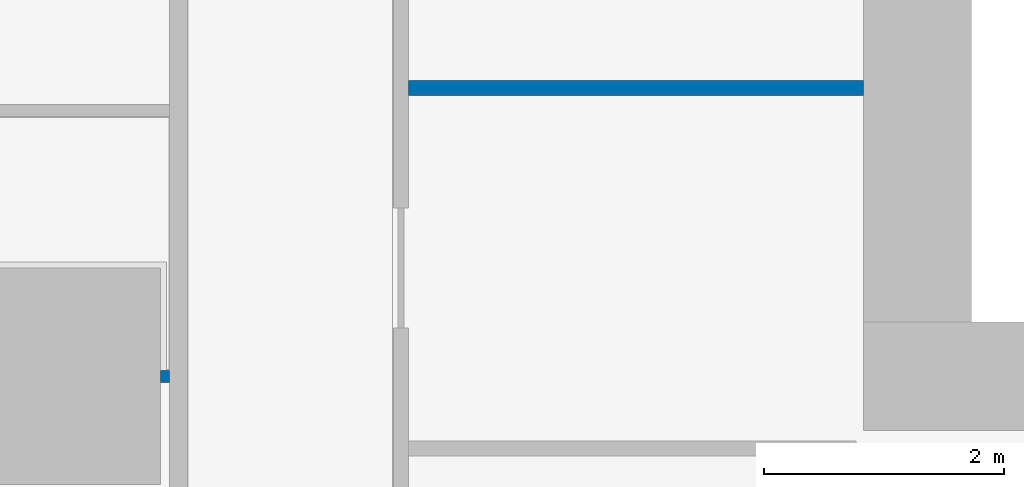
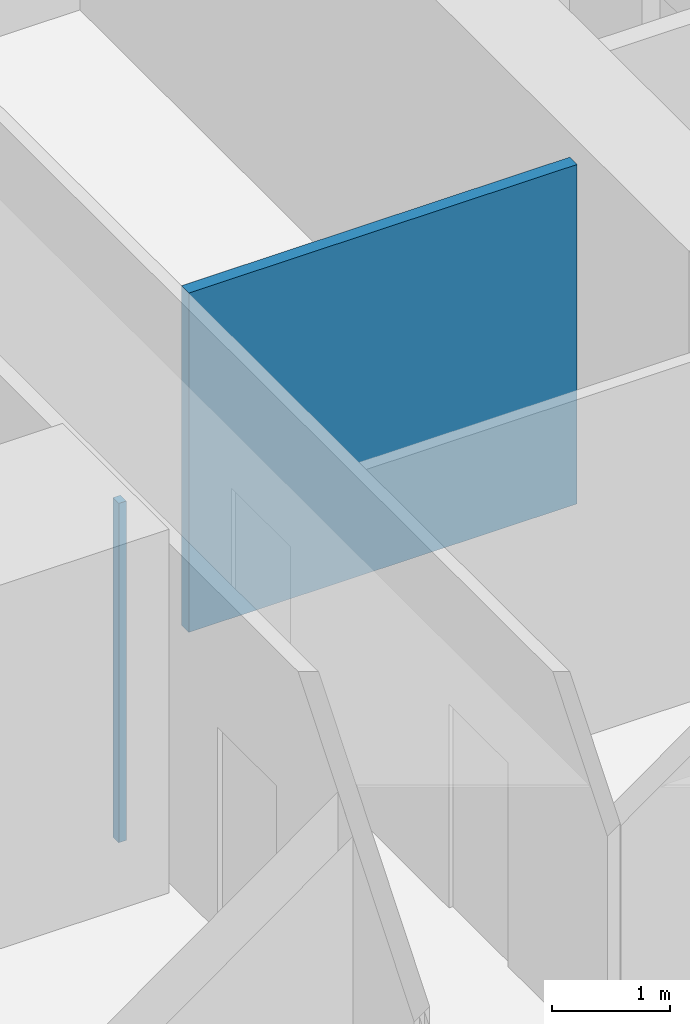
# One storey, part 5 of 16: 2 walls.
"""IFC4 building model written with IfcOpenShell, lengths in metres."""

from ifc_helpers import new_model, si_unit, direction, frame, frame_2d, origin, place, context, subcontext, project, spatial, rectangle, extrude, material, layer, layer_set, type_object, element, save


model = new_model("IFC4")

# Units and contexts
model_context = context("Model", 3, precision=1e-05, world=origin(), true_north=direction((0.0, 1.0)))
body_context = subcontext(model_context, "Body", "Model", "MODEL_VIEW")
ifc_project = project(units=[si_unit("LENGTHUNIT", "METRE"), si_unit("AREAUNIT", "SQUARE_METRE"), si_unit("VOLUMEUNIT", "CUBIC_METRE"), si_unit("PLANEANGLEUNIT", "RADIAN"), si_unit("MASSUNIT", "GRAM", prefix="KILO")], contexts=[model_context])

# Site, building, storey
site_placement = place(None, origin())
site = spatial("IfcSite", under=ifc_project, at=site_placement, CompositionType="ELEMENT")
building_placement = place(site_placement, origin())
building = spatial("IfcBuilding", under=site, at=building_placement, Name="Sheger Commons Tower", CompositionType="ELEMENT")
storey_placement = place(building_placement, frame((0.0, 0.0, 53.75)))
storey = spatial("IfcBuildingStorey", under=building, at=storey_placement, Name="L13", CompositionType="ELEMENT", Elevation=53.75)

# Walls
ifc_material_1 = material(Name="Gypsum board on steel studs", Category="steel")
ifc_layer_1 = layer(ifc_material_1, 0.10009765625)
ifc_layer_set_1 = layer_set([ifc_layer_1], Name="PARTITION 100")
wall_type_1 = type_object("IfcWallType", Name="PARTITION 100", PredefinedType="PARTITIONING", material=ifc_layer_set_1)
wall_1_placement = place(storey_placement, frame((8.10107421875, 15.0, 0.0), z_axis=(0.0, 0.0, 1.0), x_axis=(1.0, 0.0, 0.0)))
element("IfcWall", 1, at=wall_1_placement, inside=storey, type_object=wall_type_1, Name="Partition L13", PredefinedType="PARTITIONING", context=body_context, shape_type="SweptSolid", body=[
    extrude(rectangle(XDim=0.073974609375, YDim=0.10009765625, at=frame_2d((0.037109375, 0.0))), origin(), (0.0, 0.0, 1.0), 3.5),
])
ifc_material_2 = material(Name="Gypsum board on steel studs, two layers each side, fire rated", Category="steel")
ifc_layer_2 = layer(ifc_material_2, 0.125)
ifc_layer_set_2 = layer_set([ifc_layer_2], Name="SERVICE WALL 125")
wall_type_2 = type_object("IfcWallType", Name="SERVICE WALL 125", PredefinedType="PARTITIONING", material=ifc_layer_set_2)
wall_2_placement = place(storey_placement, frame((10.1630859375, 17.39990234375, 0.0), z_axis=(0.0, 0.0, 1.0), x_axis=(1.0, 0.0, 0.0)))
element("IfcWall", 2, at=wall_2_placement, inside=storey, type_object=wall_type_2, Name="Service room wall L13", PredefinedType="PARTITIONING", context=body_context, shape_type="SweptSolid", body=[
    extrude(rectangle(XDim=3.786865234375, YDim=0.125, at=frame_2d((1.8935546875, 0.0))), origin(), (0.0, 0.0, 1.0), 3.5),
])

save(model, "model.ifc")
